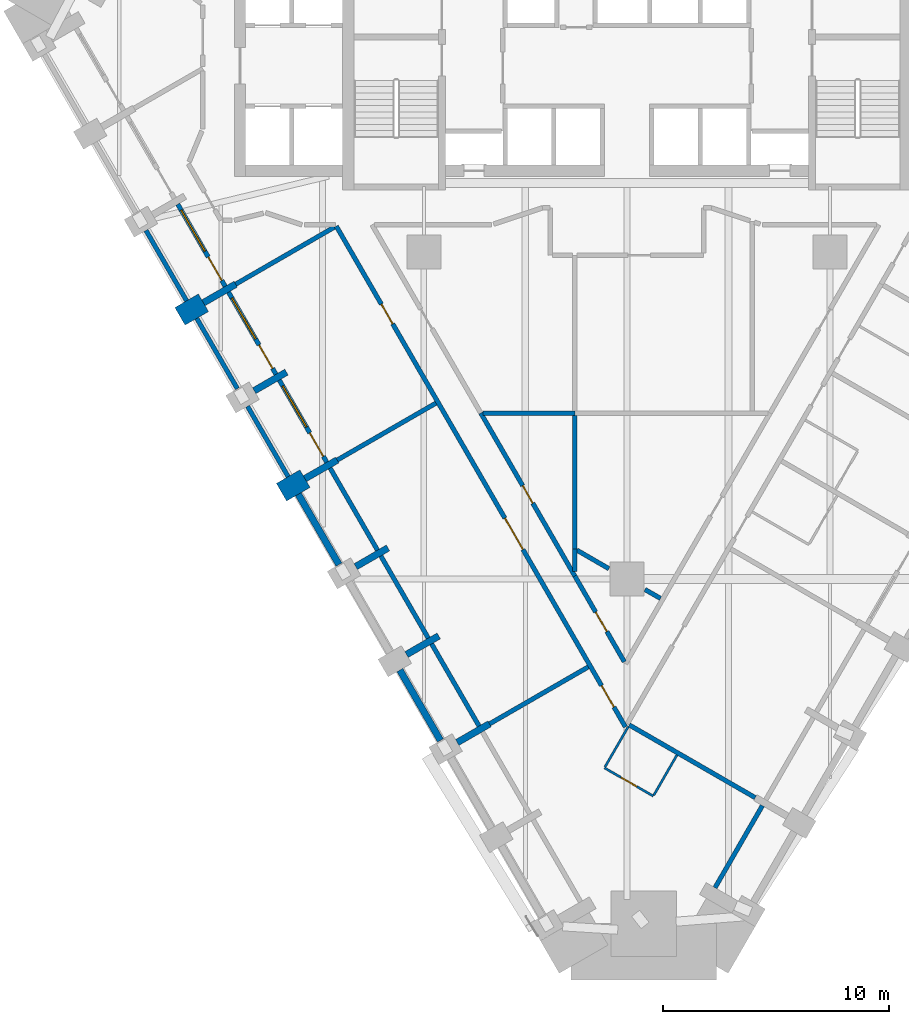
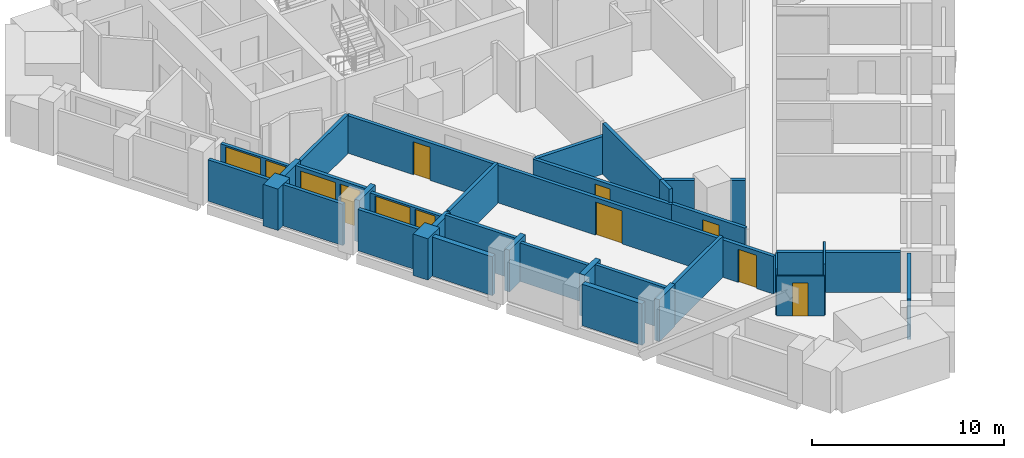
# One storey, part 3 of 11: 35 walls, 9 doors, 3 windows, 12 openings.
"""IFC4 building model written with IfcOpenShell, lengths in metres."""

import ifcopenshell
import ifcopenshell.guid

model = None  # the IFC model being written
_history = None  # IfcOwnerHistory: only IFC2X3 demands one
_inside = {}  # id of a spatial element -> (the spatial element, [elements in it])
_under = {}  # id of a project, library or spatial element -> (it, [spatial elements below it])
_declared = {}  # id of a project -> (the project, [libraries it declares])
_typed = {}  # id of a type object -> (the type object, [elements of that type])
_made_of = {}  # id of a material, layer set ... -> (it, [elements and type objects made of it])


def new_model(schema):
    """Start an empty IFC model of exactly this schema.

    Asked for "IFC4X3", IfcOpenShell would pick the latest addendum, in which some entities
    have other attributes; the version numbers below select the first issue.
    IFC2X3 requires an IfcOwnerHistory on every rooted entity: one is made here for all.
    """
    global model, _history
    if schema == "IFC4X3":
        model = ifcopenshell.file(schema_version=(4, 3, 0, 0))
    else:
        model = ifcopenshell.file(schema=schema)
    _inside.clear()
    _under.clear()
    _declared.clear()
    _typed.clear()
    _made_of.clear()
    _history = None
    if model.schema == "IFC2X3":
        org = make("IfcOrganization", Name="unknown")
        user = make(
            "IfcPersonAndOrganization",
            ThePerson=make("IfcPerson", FamilyName="unknown"),
            TheOrganization=org,
        )
        app = make(
            "IfcApplication",
            ApplicationDeveloper=org,
            Version="unknown",
            ApplicationFullName="unknown",
            ApplicationIdentifier="unknown",
        )
        _history = make(
            "IfcOwnerHistory",
            OwningUser=user,
            OwningApplication=app,
            ChangeAction="ADDED",
            CreationDate=0,
        )
    return model


def make(cls, **values):
    """One entity of the class cls with the attributes given. An attribute that is None is left unset."""
    return model.create_entity(
        cls, **{name: value for name, value in values.items() if value is not None}
    )


def rooted(cls, **values):
    """An entity with a GlobalId (a new one), such as an element, a storey or a relation."""
    return make(cls, GlobalId=ifcopenshell.guid.new(), OwnerHistory=_history, **values)


def si_unit(unit_type, name, prefix=None):
    """IfcSIUnit, for example si_unit("LENGTHUNIT", "METRE", prefix="MILLI")."""
    return make("IfcSIUnit", UnitType=unit_type, Prefix=prefix, Name=name)


def assignment(units):
    """IfcUnitAssignment: the units of a project."""
    return None if units is None else make("IfcUnitAssignment", Units=units)


def point(xyz):
    """IfcCartesianPoint."""
    return None if xyz is None else make("IfcCartesianPoint", Coordinates=xyz)


def direction(xyz):
    """IfcDirection."""
    return None if xyz is None else make("IfcDirection", DirectionRatios=xyz)


def frame(location, z_axis=None, x_axis=None):
    """IfcAxis2Placement3D, a coordinate frame: its origin and axes. An axis left out is left unset."""
    return make(
        "IfcAxis2Placement3D",
        Location=point(location),
        Axis=direction(z_axis),
        RefDirection=direction(x_axis),
    )


def frame_2d(location, x_axis=None):
    """IfcAxis2Placement2D, a coordinate frame in the plane: its origin and x axis."""
    return make(
        "IfcAxis2Placement2D", Location=point(location), RefDirection=direction(x_axis)
    )


def origin():
    """The frame at (0, 0, 0) with its axes left unset."""
    return frame((0.0, 0.0, 0.0))


def place(relative_to, where):
    """IfcLocalPlacement: puts the frame where relative to a parent placement (None: the world)."""
    return make(
        "IfcLocalPlacement", PlacementRelTo=relative_to, RelativePlacement=where
    )


def context(
    kind, dimensions, precision=None, world=None, true_north=None, identifier=None
):
    """IfcGeometricRepresentationContext, for example the 3D "Model" context."""
    return make(
        "IfcGeometricRepresentationContext",
        ContextIdentifier=identifier,
        ContextType=kind,
        CoordinateSpaceDimension=dimensions,
        Precision=precision,
        WorldCoordinateSystem=world,
        TrueNorth=true_north,
    )


def subcontext(parent, identifier, kind, view, scale=None):
    """IfcGeometricRepresentationSubContext, for example "Body" below "Model"."""
    return make(
        "IfcGeometricRepresentationSubContext",
        ContextIdentifier=identifier,
        ContextType=kind,
        ParentContext=parent,
        TargetScale=scale,
        TargetView=view,
    )


def project(units=None, contexts=None):
    """IfcProject with its units and contexts."""
    return rooted(
        "IfcProject",
        Name="project",
        RepresentationContexts=contexts,
        UnitsInContext=assignment(units),
    )


def spatial(cls, under=None, at=None, **own):
    """A site, building, storey or space (cls), placed at a placement, below another one or the project."""
    s = rooted(cls, ObjectPlacement=at, **own)
    if under is not None:
        _under.setdefault(under.id(), (under, []))[1].append(s)
    return s


def profile(cls, at=None, kind="AREA", **sizes):
    """A parametric profile (cls). Its sizes go by their IFC names, for example OverallWidth=200.0."""
    return make(cls, ProfileType=kind, Position=at, **sizes)


def rectangle(**sizes):
    """IfcRectangleProfileDef."""
    return profile("IfcRectangleProfileDef", **sizes)


def extrude(swept, where, along, depth):
    """IfcExtrudedAreaSolid: the profile swept, set in the frame where, extruded along a direction by depth."""
    return make(
        "IfcExtrudedAreaSolid",
        SweptArea=swept,
        Position=where,
        ExtrudedDirection=direction(along),
        Depth=depth,
    )


def shape(context_of_items, identifier, shape_type, items):
    """IfcShapeRepresentation: the items that make up one representation, for example the "Body"."""
    return make(
        "IfcShapeRepresentation",
        ContextOfItems=context_of_items,
        RepresentationIdentifier=identifier,
        RepresentationType=shape_type,
        Items=items,
    )


def material(Name=None, Category=None):
    """IfcMaterial."""
    return make("IfcMaterial", Name=Name, Category=Category)


def layer(
    of_material, thickness, ventilated=None, Name=None, Category=None, Priority=None
):
    """IfcMaterialLayer: one layer of a wall or slab, of a material (None: an air gap)."""
    return make(
        "IfcMaterialLayer",
        Material=of_material,
        LayerThickness=thickness,
        IsVentilated=ventilated,
        Name=Name,
        Category=Category,
        Priority=Priority,
    )


def layer_set(layers, Name=None):
    """IfcMaterialLayerSet."""
    return make("IfcMaterialLayerSet", MaterialLayers=layers, LayerSetName=Name)


def made_of(thing, what):
    """Note that an element or type object is made of a material, layer set ...; save() writes the relation."""
    if what is not None:
        _made_of.setdefault(what.id(), (what, []))[1].append(thing)
    return thing


def type_object(cls, material=None, **own):
    """A type object (cls), such as IfcWallType, which elements share."""
    return made_of(rooted(cls, **own), material)


def element(
    cls,
    number,
    at=None,
    inside=None,
    cuts=None,
    type_object=None,
    material=None,
    context=None,
    identifier="Body",
    shape_type=None,
    held_by="IfcProductDefinitionShape",
    body=None,
    shapes=None,
    **own,
):
    """One element of the class cls, such as IfcWall. Its Tag is "e" and its number.

    at: its placement. inside: the storey or other place that contains it. cuts: it is an
    opening in that element (IfcRelVoidsElement). A single representation is given by context,
    identifier, shape_type and body (its items); several are given by shapes. held_by: the class
    of the entity that holds the representations. save() writes the other relations.
    """
    e = rooted(cls, Tag="e%d" % number, ObjectPlacement=at, **own)
    if body is not None:
        shapes = [shape(context, identifier, shape_type, body)]
    if shapes is not None:
        e.Representation = make(held_by, Representations=shapes)
    if inside is not None:
        _inside.setdefault(inside.id(), (inside, []))[1].append(e)
    if cuts is not None:
        rooted(
            "IfcRelVoidsElement", RelatingBuildingElement=cuts, RelatedOpeningElement=e
        )
    if type_object is not None:
        _typed.setdefault(type_object.id(), (type_object, []))[1].append(e)
    return made_of(e, material)


def fill(opening, filler):
    """IfcRelFillsElement: the door or window that sits in an opening."""
    return rooted(
        "IfcRelFillsElement",
        RelatingOpeningElement=opening,
        RelatedBuildingElement=filler,
    )


def aggregate(whole, parts):
    """IfcRelAggregates: a whole, such as a stair, and the parts it consists of."""
    return rooted("IfcRelAggregates", RelatingObject=whole, RelatedObjects=parts)


def save(model, path):
    """Write the relations noted so far, then the file.

    IfcRelAggregates (storeys below a building ...), IfcRelContainedInSpatialStructure (elements
    in a storey), IfcRelDefinesByType, IfcRelAssociatesMaterial and IfcRelDeclares: one each for
    every whole, place, type object, material and project.
    """
    for whole, parts in _under.values():
        aggregate(whole, parts)
    for where, things in _inside.values():
        rooted(
            "IfcRelContainedInSpatialStructure",
            RelatedElements=things,
            RelatingStructure=where,
        )
    for kind, things in _typed.values():
        rooted("IfcRelDefinesByType", RelatedObjects=things, RelatingType=kind)
    for what, things in _made_of.values():
        rooted("IfcRelAssociatesMaterial", RelatedObjects=things, RelatingMaterial=what)
    for by, libraries in _declared.values():
        rooted("IfcRelDeclares", RelatingContext=by, RelatedDefinitions=libraries)
    model.write(path)


model = new_model("IFC4")

# Units and contexts
model_context = context("Model", 3, precision=1e-05, world=origin(), true_north=direction((0.0, 1.0)))
body_context = subcontext(model_context, "Body", "Model", "MODEL_VIEW")
ifc_project = project(units=[si_unit("LENGTHUNIT", "METRE"), si_unit("AREAUNIT", "SQUARE_METRE"), si_unit("VOLUMEUNIT", "CUBIC_METRE"), si_unit("PLANEANGLEUNIT", "RADIAN"), si_unit("MASSUNIT", "GRAM", prefix="KILO")], contexts=[model_context])

# Site, building, storey
site_placement = place(None, origin())
site = spatial("IfcSite", under=ifc_project, at=site_placement, CompositionType="ELEMENT")
building_placement = place(site_placement, origin())
building = spatial("IfcBuilding", under=site, at=building_placement, Name="Calabash Gate Tower", CompositionType="ELEMENT")
storey_placement = place(building_placement, frame((0.0, 0.0, 119.0)))
storey = spatial("IfcBuildingStorey", under=building, at=storey_placement, Name="L27", CompositionType="ELEMENT", Elevation=119.0)

# Walls
ifc_material_1 = material(Name="Terracotta brick masonry, exposed face", Category="masonry")
ifc_layer_1 = layer(ifc_material_1, 1.199951171875)
ifc_layer_set_1 = layer_set([ifc_layer_1], Name="Brick end wall 1200")
wall_type_1 = type_object("IfcWallType", Name="Brick end wall 1200", PredefinedType="SOLIDWALL", material=ifc_layer_set_1)
for number, where, z_axis, x_axis, name in (
    (1, (-19.80859375, -0.355224609375, 0.0), (0.0, 0.0, 1.0), (0.866043267704, 0.499969057507, 0.0), "Brick pier S07 SW0.3"),
    (2, (-15.30859375, -8.1494140625, 0.0), (0.0, 0.0, 1.0), (0.866043267704, 0.499969057507, 0.0), "Brick pier S07 SW0.5"),
):
    element("IfcWall", number, at=place(storey_placement, frame(where, z_axis=z_axis, x_axis=x_axis)), inside=storey, type_object=wall_type_1, Name=name, PredefinedType="SOLIDWALL", context=body_context, shape_type="SweptSolid", body=[
        extrude(rectangle(XDim=1.19970703125, YDim=0.89990234375, at=frame_2d((0.599853515625, 0.0))), origin(), (0.0, 0.0, 1.0), 2.6298828125),
    ])
ifc_material_2 = material(Name="Terracotta brick masonry, exposed face", Category="masonry")
ifc_layer_2 = layer(ifc_material_2, 0.300048828125)
ifc_layer_set_2 = layer_set([ifc_layer_2], Name="Brick infill panel wall 300")
wall_type_2 = type_object("IfcWallType", Name="Brick infill panel wall 300", PredefinedType="SOLIDWALL", material=ifc_layer_set_2)
wall_1_placement = place(storey_placement, frame((-14.56396484375, -8.2392578125, 0.0), z_axis=(0.0, 0.0, 1.0), x_axis=(0.500012057535, -0.866018442252, 0.0)))
element("IfcWall", 3, at=wall_1_placement, inside=storey, type_object=wall_type_2, Name="Brick panel S07 SW0.6", PredefinedType="SOLIDWALL", context=body_context, shape_type="SweptSolid", body=[
    extrude(rectangle(XDim=3.60009765625, YDim=0.300048828125, at=frame_2d((1.800048828125, 0.0))), origin(), (0.0, 0.0, 1.0), 2.4736328125),
])
wall_2_placement = place(storey_placement, frame((-10.06396484375, -16.033447265625, 0.0), z_axis=(0.0, 0.0, 1.0), x_axis=(0.500012057535, -0.866018442252, 0.0)))
element("IfcWall", 4, at=wall_2_placement, inside=storey, type_object=wall_type_2, Name="Brick panel S07 SW0.8", PredefinedType="SOLIDWALL", context=body_context, shape_type="SweptSolid", body=[
    extrude(rectangle(XDim=3.60009765625, YDim=0.300048828125, at=frame_2d((1.800048828125, 0.0))), origin(), (0.0, 0.0, 1.0), 2.6298828125),
])
ifc_material_3 = material(Name="Terracotta brick masonry, exposed face", Category="masonry")
ifc_layer_3 = layer(ifc_material_3, 0.300048828125)
ifc_layer_set_3 = layer_set([ifc_layer_3], Name="Brick loggia cheek wall 300")
wall_type_3 = type_object("IfcWallType", Name="Brick loggia cheek wall 300", PredefinedType="SOLIDWALL", material=ifc_layer_set_3)
wall_3_placement = place(storey_placement, frame((-18.76953125, 0.24462890625, 0.0), z_axis=(0.0, 0.0, 1.0), x_axis=(0.865976140824, 0.500085316245, 0.0)))
element("IfcWall", 5, at=wall_3_placement, inside=storey, type_object=wall_type_3, Name="Loggia cheek S07 SW0.3", PredefinedType="SOLIDWALL", context=body_context, shape_type="SweptSolid", body=[
    extrude(rectangle(XDim=1.650146484375, YDim=0.300048828125, at=frame_2d((0.8251953125, 0.0))), origin(), (0.0, 0.0, 1.0), 2.64990234375),
])
wall_4_placement = place(storey_placement, frame((-16.519287109375, -3.65234375, 0.0), z_axis=(0.0, 0.0, 1.0), x_axis=(0.866003217194, 0.500038426333, 0.0)))
element("IfcWall", 6, at=wall_4_placement, inside=storey, type_object=wall_type_3, Name="Loggia cheek S07 SW0.4", PredefinedType="SOLIDWALL", context=body_context, shape_type="SweptSolid", body=[
    extrude(rectangle(XDim=1.649658203125, YDim=0.300048828125, at=frame_2d((0.82470703125, 0.0))), origin(), (0.0, 0.0, 1.0), 2.64990234375),
])
wall_5_placement = place(storey_placement, frame((-12.840576171875, -6.724609375, 0.0), z_axis=(0.0, 0.0, 1.0), x_axis=(-0.866040211805, -0.499974350878, 0.0)))
element("IfcWall", 7, at=wall_5_placement, inside=storey, type_object=wall_type_3, Name="Loggia cheek S07 SW0.5", PredefinedType="SOLIDWALL", context=body_context, shape_type="SweptSolid", body=[
    extrude(rectangle(XDim=1.64990234375, YDim=0.300048828125, at=frame_2d((0.824951171875, 0.0))), origin(), (0.0, 0.0, 1.0), 2.4736328125),
])
for number, where, z_axis, x_axis, name in (
    (8, (-12.01953125, -11.446533203125, 0.0), (0.0, 0.0, 1.0), (0.866040211805, 0.499974350878, 0.0), "Loggia cheek S07 SW0.6"),
    (9, (-8.340576171875, -14.518798828125, 0.0), (0.0, 0.0, 1.0), (-0.866040211805, -0.499974350878, 0.0), "Loggia cheek S07 SW0.7"),
):
    element("IfcWall", number, at=place(storey_placement, frame(where, z_axis=z_axis, x_axis=x_axis)), inside=storey, type_object=wall_type_3, Name=name, PredefinedType="SOLIDWALL", context=body_context, shape_type="SweptSolid", body=[
        extrude(rectangle(XDim=1.64990234375, YDim=0.300048828125, at=frame_2d((0.824951171875, 0.0))), origin(), (0.0, 0.0, 1.0), 2.64990234375),
    ])
wall_6_placement = place(storey_placement, frame((-7.51953125, -19.240966796875, 0.0), z_axis=(0.0, 0.0, 1.0), x_axis=(0.865976140824, 0.500085316245, 0.0)))
element("IfcWall", 10, at=wall_6_placement, inside=storey, type_object=wall_type_3, Name="Loggia cheek S07 SW0.8", PredefinedType="SOLIDWALL", context=body_context, shape_type="SweptSolid", body=[
    extrude(rectangle(XDim=1.650146484375, YDim=0.300048828125, at=frame_2d((0.8251953125, 0.0))), origin(), (0.0, 0.0, 1.0), 2.64990234375),
])
ifc_material_4 = material(Name="Gypsum board on steel studs, mineral wool", Category="steel")
ifc_layer_4 = layer(ifc_material_4, 0.10009765625)
ifc_layer_set_4 = layer_set([ifc_layer_4], Name="Partition 100 gypsum board")
wall_type_4 = type_object("IfcWallType", Name="Partition 100 gypsum board", PredefinedType="PARTITIONING", material=ifc_layer_set_4)
wall_7_placement = place(storey_placement, frame((1.192626953125, -21.573486328125, 0.0), z_axis=(0.0, 0.0, 1.0), x_axis=(0.499354689006, 0.866397653833, 0.0)))
element("IfcWall", 11, at=wall_7_placement, inside=storey, type_object=wall_type_4, Name="Partition", PredefinedType="PARTITIONING", context=body_context, shape_type="SweptSolid", body=[
    extrude(rectangle(XDim=2.050048828125, YDim=0.10009765625, at=frame_2d((1.02490234375, 0.0))), origin(), (0.0, 0.0, 1.0), 3.22998046875),
])

# Wall, opening, door
wall_8_placement = place(storey_placement, frame((-0.997314453125, -20.36669921875, 0.0), z_axis=(0.0, 0.0, 1.0), x_axis=(0.866022959057, -0.500004234368, 0.0)))
wall_8 = element("IfcWall", 12, at=wall_8_placement, inside=storey, type_object=wall_type_4, Name="Partition", PredefinedType="PARTITIONING", context=body_context, shape_type="SweptSolid", body=[
    extrude(rectangle(XDim=2.5, YDim=0.10009765625, at=frame_2d((1.25, 0.0))), origin(), (0.0, 0.0, 1.0), 2.552001953125),
])
opening_1_placement = place(wall_8_placement, frame((0.85009765625, 0.0, 0.0)))
opening_1 = element("IfcOpeningElement", 13, at=opening_1_placement, cuts=wall_8, Name="Opening 25-27-017", PredefinedType="OPENING", context=body_context, shape_type="SweptSolid", body=[
    extrude(rectangle(XDim=0.800048828125, YDim=2.10009765625, at=frame_2d((0.39990234375, 1.050048828125))), frame((0.0, 0.06005859375, 0.0), z_axis=(0.0, -1.0, 0.0), x_axis=(1.0, 0.0, 0.0)), (0.0, 0.0, 1.0), 0.1201171875),
])
ifc_material_5 = material(Name="Painted timber door", Category="wood")
door_type_1 = type_object("IfcDoorType", Name="GD5 En-suite door 800x2100", OperationType="NOTDEFINED", PredefinedType="DOOR", material=ifc_material_5)
door_1_placement = place(opening_1_placement, origin())
door_1 = element("IfcDoor", 14, at=door_1_placement, inside=storey, type_object=door_type_1, Name="En-suite door", OperationType="SINGLE_SWING_RIGHT", OverallHeight=2.10009765625, OverallWidth=0.800048828125, PredefinedType="DOOR", context=body_context, shape_type="SweptSolid", body=[
    extrude(rectangle(XDim=0.800048828125, YDim=2.10009765625, at=frame_2d((0.39990234375, 1.050048828125))), frame((0.0, 0.02490234375, 0.0), z_axis=(0.0, -1.0, 0.0), x_axis=(1.0, 0.0, 0.0)), (0.0, 0.0, 1.0), 0.050048828125),
])
fill(opening_1, door_1)

# Wall
wall_9_placement = place(storey_placement, frame((-0.972412109375, -20.323486328125, 0.0), z_axis=(0.0, 0.0, 1.0), x_axis=(0.500646589026, 0.865651773461, 0.0)))
element("IfcWall", 15, at=wall_9_placement, inside=storey, type_object=wall_type_4, Name="Partition", PredefinedType="PARTITIONING", context=body_context, shape_type="SweptSolid", body=[
    extrude(rectangle(XDim=2.050048828125, YDim=0.10009765625, at=frame_2d((1.02490234375, 0.0))), origin(), (0.0, 0.0, 1.0), 2.552001953125),
])

# Wall, openings, doors
ifc_material_6 = material(Name="Gypsum board on steel studs, mineral wool", Category="steel")
ifc_layer_5 = layer(ifc_material_6, 0.199951171875)
ifc_layer_set_5 = layer_set([ifc_layer_5], Name="Partition 200 gypsum board EI 60")
wall_type_5 = type_object("IfcWallType", Name="Partition 200 gypsum board EI 60", PredefinedType="PARTITIONING", material=ifc_layer_set_5)
wall_10_placement = place(storey_placement, frame((-12.882080078125, 3.643798828125, 0.0), z_axis=(0.0, 0.0, 1.0), x_axis=(0.500000325599, -0.866025215799, 0.0)))
wall_10 = element("IfcWall", 16, at=wall_10_placement, inside=storey, type_object=wall_type_5, Name="Partition", PredefinedType="PARTITIONING", context=body_context, shape_type="SweptSolid", body=[
    extrude(rectangle(XDim=25.63037109375, YDim=0.199951171875, at=frame_2d((12.815185546875, 0.0))), origin(), (0.0, 0.0, 1.0), 2.384033203125),
])
opening_2_placement = place(wall_10_placement, frame((4.0, 0.0, 0.0)))
opening_2 = element("IfcOpeningElement", 17, at=opening_2_placement, cuts=wall_10, Name="Opening 25-27-001", PredefinedType="OPENING", context=body_context, shape_type="SweptSolid", body=[
    extrude(rectangle(XDim=1.0, YDim=2.10009765625, at=frame_2d((0.5, 1.050048828125))), frame((0.0, 0.10986328125, 0.0), z_axis=(0.0, -1.0, 0.0), x_axis=(1.0, 0.0, 0.0)), (0.0, 0.0, 1.0), 0.219970703125),
])
opening_3_placement = place(wall_10_placement, frame((14.9501953125, 0.0, 0.0)))
opening_3 = element("IfcOpeningElement", 18, at=opening_3_placement, cuts=wall_10, Name="Opening 25-27-002", PredefinedType="OPENING", context=body_context, shape_type="SweptSolid", body=[
    extrude(rectangle(XDim=1.60009765625, YDim=2.10009765625, at=frame_2d((0.800048828125, 1.050048828125))), frame((0.0, 0.10986328125, 0.0), z_axis=(0.0, -1.0, 0.0), x_axis=(1.0, 0.0, 0.0)), (0.0, 0.0, 1.0), 0.219970703125),
])
opening_4_placement = place(wall_10_placement, frame((23.515380859375, 0.0, 0.0)))
opening_4 = element("IfcOpeningElement", 19, at=opening_4_placement, cuts=wall_10, Name="Opening 25-27-026", PredefinedType="OPENING", context=body_context, shape_type="SweptSolid", body=[
    extrude(rectangle(XDim=1.10009765625, YDim=2.10009765625, at=frame_2d((0.550048828125, 1.050048828125))), frame((0.0, 0.10986328125, 0.0), z_axis=(0.0, -1.0, 0.0), x_axis=(1.0, 0.0, 0.0)), (0.0, 0.0, 1.0), 0.219970703125),
])
ifc_material_7 = material(Name="Steel fire door set with fire-resisting glazing", Category="steel")
door_type_2 = type_object("IfcDoorType", Name="GD3 Suite entrance door 1100x2100", OperationType="NOTDEFINED", PredefinedType="DOOR", material=ifc_material_7)
door_2_placement = place(opening_4_placement, origin())
door_2 = element("IfcDoor", 20, at=door_2_placement, inside=storey, type_object=door_type_2, Name="Suite entrance door", OperationType="SINGLE_SWING_LEFT", OverallHeight=2.10009765625, OverallWidth=1.10009765625, PredefinedType="DOOR", context=body_context, shape_type="SweptSolid", body=[
    extrude(rectangle(XDim=1.10009765625, YDim=2.10009765625, at=frame_2d((0.550048828125, 1.050048828125))), frame((0.0, 0.02490234375, 0.0), z_axis=(0.0, -1.0, 0.0), x_axis=(1.0, 0.0, 0.0)), (0.0, 0.0, 1.0), 0.050048828125),
])
fill(opening_4, door_2)
ifc_material_8 = material(Name="Steel fire door set with fire-resisting glazing", Category="steel")
door_type_3 = type_object("IfcDoorType", Name="LD1 Lounge double door 1600x2100", OperationType="NOTDEFINED", PredefinedType="DOOR", material=ifc_material_8)
door_3_placement = place(opening_3_placement, origin())
door_3 = element("IfcDoor", 21, at=door_3_placement, inside=storey, type_object=door_type_3, Name="Lounge double door", OperationType="DOUBLE_DOOR_SINGLE_SWING", OverallHeight=2.10009765625, OverallWidth=1.60009765625, PredefinedType="DOOR", context=body_context, shape_type="SweptSolid", body=[
    extrude(rectangle(XDim=1.60009765625, YDim=2.10009765625, at=frame_2d((0.800048828125, 1.050048828125))), frame((0.0, 0.02490234375, 0.0), z_axis=(0.0, -1.0, 0.0), x_axis=(1.0, 0.0, 0.0)), (0.0, 0.0, 1.0), 0.050048828125),
])
fill(opening_3, door_3)
ifc_material_9 = material(Name="Steel fire door set with fire-resisting glazing", Category="steel")
door_type_4 = type_object("IfcDoorType", Name="LD2 Meeting room door 1000x2100", OperationType="NOTDEFINED", PredefinedType="DOOR", material=ifc_material_9)
door_4_placement = place(opening_2_placement, origin())
door_4 = element("IfcDoor", 22, at=door_4_placement, inside=storey, type_object=door_type_4, Name="Meeting room door", OperationType="SINGLE_SWING_RIGHT", OverallHeight=2.10009765625, OverallWidth=1.0, PredefinedType="DOOR", context=body_context, shape_type="SweptSolid", body=[
    extrude(rectangle(XDim=1.0, YDim=2.10009765625, at=frame_2d((0.5, 1.050048828125))), frame((0.0, 0.02490234375, 0.0), z_axis=(0.0, -1.0, 0.0), x_axis=(1.0, 0.0, 0.0)), (0.0, 0.0, 1.0), 0.050048828125),
])
fill(opening_2, door_4)

# Walls
wall_11_placement = place(storey_placement, frame((0.101806640625, -18.462890625, 0.0), z_axis=(0.0, 0.0, 1.0), x_axis=(0.866035557451, -0.499982412921, 0.0)))
element("IfcWall", 23, at=wall_11_placement, inside=storey, type_object=wall_type_5, Name="Partition", PredefinedType="PARTITIONING", context=body_context, shape_type="SweptSolid", body=[
    extrude(rectangle(XDim=6.449462890625, YDim=0.199951171875, at=frame_2d((3.224609375, 0.0))), origin(), (0.0, 0.0, 1.0), 2.552001953125),
])
wall_12_placement = place(storey_placement, frame((-6.090087890625, -18.416259765625, 0.0), z_axis=(0.0, 0.0, 1.0), x_axis=(0.866164656326, 0.49975872992, 0.0)))
element("IfcWall", 24, at=wall_12_placement, inside=storey, type_object=wall_type_5, Name="Partition", PredefinedType="PARTITIONING", context=body_context, shape_type="SweptSolid", body=[
    extrude(rectangle(XDim=5.04931640625, YDim=0.199951171875, at=frame_2d((2.524658203125, 0.0))), origin(), (0.0, 0.0, 1.0), 2.6279296875),
])
wall_13_placement = place(storey_placement, frame((0.800048828125, -12.461669921875, 0.0), z_axis=(0.0, 0.0, 1.0), x_axis=(0.867012419422, -0.498286528584, 0.0)))
element("IfcWall", 25, at=wall_13_placement, inside=storey, type_object=wall_type_5, Name="Partition", PredefinedType="PARTITIONING", context=body_context, shape_type="SweptSolid", body=[
    extrude(rectangle(XDim=0.795166015625, YDim=0.199951171875, at=frame_2d((0.3974609375, 0.0))), origin(), (0.0, 0.0, 1.0), 3.22998046875),
])

# Wall, opening, door
wall_14_placement = place(storey_placement, frame((-2.311279296875, -11.861083984375, 0.0), z_axis=(0.0, 0.0, 1.0), x_axis=(0.499977492351, -0.866038398192, 0.0)))
wall_14 = element("IfcWall", 26, at=wall_14_placement, inside=storey, type_object=wall_type_5, Name="Partition", PredefinedType="PARTITIONING", context=body_context, shape_type="SweptSolid", body=[
    extrude(rectangle(XDim=4.391845703125, YDim=0.199951171875, at=frame_2d((2.19580078125, 0.0))), origin(), (0.0, 0.0, 1.0), 2.4501953125),
])
opening_5_placement = place(wall_14_placement, frame((1.84423828125, 0.0, 0.0)))
opening_5 = element("IfcOpeningElement", 27, at=opening_5_placement, cuts=wall_14, Name="Opening 25-27-015", PredefinedType="OPENING", context=body_context, shape_type="SweptSolid", body=[
    extrude(rectangle(XDim=1.0, YDim=2.10009765625, at=frame_2d((0.5, 1.050048828125))), frame((0.0, 0.10986328125, 0.0), z_axis=(0.0, -1.0, 0.0), x_axis=(1.0, 0.0, 0.0)), (0.0, 0.0, 1.0), 0.219970703125),
])
door_5_placement = place(opening_5_placement, origin())
door_5 = element("IfcDoor", 28, at=door_5_placement, inside=storey, type_object=door_type_4, Name="Meeting room door", OperationType="SINGLE_SWING_RIGHT", OverallHeight=2.10009765625, OverallWidth=1.0, PredefinedType="DOOR", context=body_context, shape_type="SweptSolid", body=[
    extrude(rectangle(XDim=1.0, YDim=2.10009765625, at=frame_2d((0.5, 1.050048828125))), frame((0.0, 0.02490234375, 0.0), z_axis=(0.0, -1.0, 0.0), x_axis=(1.0, 0.0, 0.0)), (0.0, 0.0, 1.0), 0.050048828125),
])
fill(opening_5, door_5)

# Walls
wall_15_placement = place(storey_placement, frame((-2.224609375, -10.713623046875, 0.0), z_axis=(0.0, 0.0, 1.0), x_axis=(0.865565051919, -0.500796506474, 0.0)))
element("IfcWall", 29, at=wall_15_placement, inside=storey, type_object=wall_type_5, Name="Partition", PredefinedType="PARTITIONING", context=body_context, shape_type="SweptSolid", body=[
    extrude(rectangle(XDim=1.645751953125, YDim=0.199951171875, at=frame_2d((0.82275390625, 0.0))), origin(), (0.0, 0.0, 1.0), 3.22998046875),
])
wall_16_placement = place(storey_placement, frame((-2.31103515625, -11.66162109375, 0.0), z_axis=(0.0, 0.0, 1.0), x_axis=(0.001472029808, 0.999998916564, 0.0)))
element("IfcWall", 30, at=wall_16_placement, inside=storey, type_object=wall_type_5, Name="Partition", PredefinedType="PARTITIONING", context=body_context, shape_type="SweptSolid", body=[
    extrude(rectangle(XDim=0.9951171875, YDim=0.199951171875, at=frame_2d((0.49755859375, 0.0))), origin(), (0.0, 0.0, 1.0), 3.22998046875),
])
wall_17_placement = place(storey_placement, frame((-2.3095703125, -10.66650390625, 0.0), z_axis=(0.0, 0.0, 1.0), x_axis=(0.0, 1.0, 0.0)))
element("IfcWall", 31, at=wall_17_placement, inside=storey, type_object=wall_type_5, Name="Partition", PredefinedType="PARTITIONING", context=body_context, shape_type="SweptSolid", body=[
    extrude(rectangle(XDim=5.927001953125, YDim=0.199951171875, at=frame_2d((2.96337890625, 0.0))), origin(), (0.0, 0.0, 1.0), 3.22998046875),
])

# Wall, opening, door
wall_18_placement = place(storey_placement, frame((-6.4775390625, -4.641357421875, 0.0), z_axis=(0.0, 0.0, 1.0), x_axis=(0.499806127846, -0.866137306994, 0.0)))
wall_18 = element("IfcWall", 32, at=wall_18_placement, inside=storey, type_object=wall_type_5, Name="Partition", PredefinedType="PARTITIONING", context=body_context, shape_type="SweptSolid", body=[
    extrude(rectangle(XDim=8.335205078125, YDim=0.199951171875, at=frame_2d((4.16748046875, 0.0))), origin(), (0.0, 0.0, 1.0), 2.384033203125),
])
opening_6_placement = place(wall_18_placement, frame((3.716064453125, 0.0, 0.0)))
opening_6 = element("IfcOpeningElement", 33, at=opening_6_placement, cuts=wall_18, Name="Opening 25-27-014", PredefinedType="OPENING", context=body_context, shape_type="SweptSolid", body=[
    extrude(rectangle(XDim=0.89990234375, YDim=2.10009765625, at=frame_2d((0.449951171875, 1.050048828125))), frame((0.0, 0.10986328125, 0.0), z_axis=(0.0, -1.0, 0.0), x_axis=(1.0, 0.0, 0.0)), (0.0, 0.0, 1.0), 0.219970703125),
])
ifc_material_10 = material(Name="Steel fire door set with fire-resisting glazing", Category="steel")
door_type_5 = type_object("IfcDoorType", Name="SD3 Store door 900x2100", OperationType="NOTDEFINED", PredefinedType="DOOR", material=ifc_material_10)
door_6_placement = place(opening_6_placement, origin())
door_6 = element("IfcDoor", 34, at=door_6_placement, inside=storey, type_object=door_type_5, Name="Store door", OperationType="SINGLE_SWING_LEFT", OverallHeight=2.10009765625, OverallWidth=0.89990234375, PredefinedType="DOOR", context=body_context, shape_type="SweptSolid", body=[
    extrude(rectangle(XDim=0.89990234375, YDim=2.10009765625, at=frame_2d((0.449951171875, 1.050048828125))), frame((0.0, 0.02490234375, 0.0), z_axis=(0.0, -1.0, 0.0), x_axis=(1.0, 0.0, 0.0)), (0.0, 0.0, 1.0), 0.050048828125),
])
fill(opening_6, door_6)

# Walls
wall_19_placement = place(storey_placement, frame((-6.377685546875, -4.641357421875, 0.0), z_axis=(0.0, 0.0, 1.0), x_axis=(1.0, 0.0, 0.0)))
element("IfcWall", 35, at=wall_19_placement, inside=storey, type_object=wall_type_5, Name="Partition", PredefinedType="PARTITIONING", context=body_context, shape_type="SweptSolid", body=[
    extrude(rectangle(XDim=4.066162109375, YDim=0.199951171875, at=frame_2d((2.033203125, 0.0))), origin(), (0.0, 0.0, 1.0), 2.384033203125),
])
wall_20_placement = place(storey_placement, frame((-12.84033203125, -6.724609375, 0.0), z_axis=(0.0, 0.0, 1.0), x_axis=(0.866209732401, 0.499680597475, 0.0)))
element("IfcWall", 36, at=wall_20_placement, inside=storey, type_object=wall_type_5, Name="Partition", PredefinedType="PARTITIONING", context=body_context, shape_type="SweptSolid", body=[
    extrude(rectangle(XDim=5.049560546875, YDim=0.199951171875, at=frame_2d((2.52490234375, 0.0))), origin(), (0.0, 0.0, 1.0), 2.552001953125),
])
wall_21_placement = place(storey_placement, frame((-17.3408203125, 1.0703125, 0.0), z_axis=(0.0, 0.0, 1.0), x_axis=(0.865894858421, 0.500226043064, 0.0)))
element("IfcWall", 37, at=wall_21_placement, inside=storey, type_object=wall_type_5, Name="Partition", PredefinedType="PARTITIONING", context=body_context, shape_type="SweptSolid", body=[
    extrude(rectangle(XDim=5.049560546875, YDim=0.199951171875, at=frame_2d((2.52490234375, 0.0))), origin(), (0.0, 0.0, 1.0), 2.4736328125),
])
ifc_material_11 = material(Name="Terracotta brick masonry, perforated", Category="masonry")
ifc_layer_6 = layer(ifc_material_11, 0.199951171875)
ifc_layer_set_6 = layer_set([ifc_layer_6], Name="Terracotta jaali screen A")
wall_type_6 = type_object("IfcWallType", Name="Terracotta jaali screen A", PredefinedType="SOLIDWALL", material=ifc_layer_set_6)
for number, where, z_axis, x_axis, name in (
    (38, (-21.31396484375, 3.4521484375, 0.0), (0.0, 0.0, 1.0), (0.500012057535, -0.866018442252, 0.0), "SCREEN A S07 SW0.3"),
    (39, (-19.06396484375, -0.445068359375, 0.0), (0.0, 0.0, 1.0), (0.500012057535, -0.866018442252, 0.0), "SCREEN A S07 SW0.4"),
    (40, (-16.81396484375, -4.342041015625, 0.0), (0.0, 0.0, 1.0), (0.500012057535, -0.866018442252, 0.0), "SCREEN A S07 SW0.5"),
):
    element("IfcWall", number, at=place(storey_placement, frame(where, z_axis=z_axis, x_axis=x_axis)), inside=storey, type_object=wall_type_6, Name=name, PredefinedType="SOLIDWALL", context=body_context, shape_type="SweptSolid", body=[
        extrude(rectangle(XDim=3.60009765625, YDim=0.199951171875, at=frame_2d((1.800048828125, 0.0))), origin(), (0.0, 0.0, 1.0), 2.6298828125),
    ])

# Wall, openings, door, window
ifc_material_12 = material(Name="Aluminium framed window wall with insulated spandrel", Category="aluminium")
ifc_layer_7 = layer(ifc_material_12, 0.199951171875)
ifc_layer_set_7 = layer_set([ifc_layer_7], Name="Window wall 200")
wall_type_7 = type_object("IfcWallType", Name="Window wall 200", PredefinedType="ELEMENTEDWALL", material=ifc_layer_set_7)
wall_22_placement = place(storey_placement, frame((-19.9052734375, 4.61181640625, 0.0), z_axis=(0.0, 0.0, 1.0), x_axis=(0.500027713859, -0.866009402589, 0.0)))
wall_22 = element("IfcWall", 41, at=wall_22_placement, inside=storey, type_object=wall_type_7, Name="Window wall S07 SW0.3", PredefinedType="ELEMENTEDWALL", context=body_context, shape_type="SweptSolid", body=[
    extrude(rectangle(XDim=4.199951171875, YDim=0.199951171875, at=frame_2d((2.10009765625, 0.0))), origin(), (0.0, 0.0, 1.0), 2.4501953125),
])
opening_7_placement = place(wall_22_placement, frame((0.300048828125, 0.0, 0.60009765625)))
opening_7 = element("IfcOpeningElement", 42, at=opening_7_placement, cuts=wall_22, Name="Opening HW1L-1750", PredefinedType="OPENING", context=body_context, shape_type="SweptSolid", body=[
    extrude(rectangle(XDim=2.10009765625, YDim=1.75, at=frame_2d((1.050048828125, 0.875))), frame((0.0, 0.10986328125, 0.0), z_axis=(0.0, -1.0, 0.0), x_axis=(1.0, 0.0, 0.0)), (0.0, 0.0, 1.0), 0.219970703125),
])
opening_8_placement = place(wall_22_placement, frame((2.699951171875, 0.0, 0.0)))
opening_8 = element("IfcOpeningElement", 43, at=opening_8_placement, cuts=wall_22, Name="Opening H7-026", PredefinedType="OPENING", context=body_context, shape_type="SweptSolid", body=[
    extrude(rectangle(XDim=1.199951171875, YDim=2.35009765625, at=frame_2d((0.60009765625, 1.175048828125))), frame((0.0, 0.10986328125, 0.0), z_axis=(0.0, -1.0, 0.0), x_axis=(1.0, 0.0, 0.0)), (0.0, 0.0, 1.0), 0.219970703125),
])
ifc_material_13 = material(Name="Anodised aluminium frame, bronze finish, impact-rated laminated clear glazing", Category="aluminium")
door_type_6 = type_object("IfcDoorType", Name="Loggia door DH1L-2350 1200x2350", OperationType="SLIDING_TO_LEFT", PredefinedType="DOOR", material=ifc_material_13)
door_7_placement = place(opening_8_placement, origin())
door_7 = element("IfcDoor", 44, at=door_7_placement, inside=storey, type_object=door_type_6, Name="Loggia door S07 SW0.3", OperationType="SINGLE_SWING_LEFT", OverallHeight=2.35009765625, OverallWidth=1.199951171875, PredefinedType="DOOR", context=body_context, shape_type="SweptSolid", body=[
    extrude(rectangle(XDim=1.199951171875, YDim=2.35009765625, at=frame_2d((0.60009765625, 1.175048828125))), frame((0.0, 0.02490234375, 0.0), z_axis=(0.0, -1.0, 0.0), x_axis=(1.0, 0.0, 0.0)), (0.0, 0.0, 1.0), 0.050048828125),
])
fill(opening_8, door_7)
ifc_material_14 = material(Name="Anodised aluminium frame, bronze finish, impact-rated laminated clear glazing", Category="aluminium")
window_type_1 = type_object("IfcWindowType", Name="Window HW1L 2100x1750", PartitioningType="DOUBLE_PANEL_VERTICAL", PredefinedType="WINDOW", material=ifc_material_14)
window_1_placement = place(opening_7_placement, origin())
window_1 = element("IfcWindow", 45, at=window_1_placement, inside=storey, type_object=window_type_1, Name="Window HW1 S07 SW0.3", OverallHeight=1.75, OverallWidth=2.10009765625, PartitioningType="SINGLE_PANEL", PredefinedType="WINDOW", context=body_context, shape_type="SweptSolid", body=[
    extrude(rectangle(XDim=2.10009765625, YDim=1.75, at=frame_2d((1.050048828125, 0.875))), frame((0.0, 0.030029296875, 0.0), z_axis=(0.0, -1.0, 0.0), x_axis=(1.0, 0.0, 0.0)), (0.0, 0.0, 1.0), 0.06005859375),
])
fill(opening_7, window_1)

wall_23_placement = place(storey_placement, frame((-17.6552734375, 0.71484375, 0.0), z_axis=(0.0, 0.0, 1.0), x_axis=(0.500002543286, -0.866023935413, 0.0)))
wall_23 = element("IfcWall", 46, at=wall_23_placement, inside=storey, type_object=wall_type_7, Name="Window wall S07 SW0.4", PredefinedType="ELEMENTEDWALL", context=body_context, shape_type="SweptSolid", body=[
    extrude(rectangle(XDim=4.2001953125, YDim=0.199951171875, at=frame_2d((2.10009765625, 0.0))), origin(), (0.0, 0.0, 1.0), 2.64990234375),
])
opening_9_placement = place(wall_23_placement, frame((0.300048828125, 0.0, 0.60009765625)))
opening_9 = element("IfcOpeningElement", 47, at=opening_9_placement, cuts=wall_23, Name="Opening HW1", PredefinedType="OPENING", context=body_context, shape_type="SweptSolid", body=[
    extrude(rectangle(XDim=2.10009765625, YDim=1.800048828125, at=frame_2d((1.050048828125, 0.89990234375))), frame((0.0, 0.10986328125, 0.0), z_axis=(0.0, -1.0, 0.0), x_axis=(1.0, 0.0, 0.0)), (0.0, 0.0, 1.0), 0.219970703125),
])
opening_10_placement = place(wall_23_placement, frame((2.699951171875, 0.0, 0.0)))
opening_10 = element("IfcOpeningElement", 48, at=opening_10_placement, cuts=wall_23, Name="Opening H7-027", PredefinedType="OPENING", context=body_context, shape_type="SweptSolid", body=[
    extrude(rectangle(XDim=1.199951171875, YDim=2.39990234375, at=frame_2d((0.60009765625, 1.199951171875))), frame((0.0, 0.10986328125, 0.0), z_axis=(0.0, -1.0, 0.0), x_axis=(1.0, 0.0, 0.0)), (0.0, 0.0, 1.0), 0.219970703125),
])
ifc_material_15 = material(Name="Anodised aluminium frame, bronze finish, impact-rated laminated clear glazing", Category="aluminium")
door_type_7 = type_object("IfcDoorType", Name="Loggia door DH1 1200x2400", OperationType="SLIDING_TO_LEFT", PredefinedType="DOOR", material=ifc_material_15)
door_8_placement = place(opening_10_placement, origin())
door_8 = element("IfcDoor", 49, at=door_8_placement, inside=storey, type_object=door_type_7, Name="Loggia door S07 SW0.4", OperationType="SINGLE_SWING_LEFT", OverallHeight=2.39990234375, OverallWidth=1.199951171875, PredefinedType="DOOR", context=body_context, shape_type="SweptSolid", body=[
    extrude(rectangle(XDim=1.199951171875, YDim=2.39990234375, at=frame_2d((0.60009765625, 1.199951171875))), frame((0.0, 0.02490234375, 0.0), z_axis=(0.0, -1.0, 0.0), x_axis=(1.0, 0.0, 0.0)), (0.0, 0.0, 1.0), 0.050048828125),
])
fill(opening_10, door_8)
ifc_material_16 = material(Name="Anodised aluminium frame, bronze finish, impact-rated laminated clear glazing", Category="aluminium")
window_type_2 = type_object("IfcWindowType", Name="Window HW1 2100x1800", PartitioningType="DOUBLE_PANEL_VERTICAL", PredefinedType="WINDOW", material=ifc_material_16)
window_2_placement = place(opening_9_placement, origin())
window_2 = element("IfcWindow", 50, at=window_2_placement, inside=storey, type_object=window_type_2, Name="Window HW1 S07 SW0.4", OverallHeight=1.800048828125, OverallWidth=2.10009765625, PartitioningType="SINGLE_PANEL", PredefinedType="WINDOW", context=body_context, shape_type="SweptSolid", body=[
    extrude(rectangle(XDim=2.10009765625, YDim=1.800048828125, at=frame_2d((1.050048828125, 0.89990234375))), frame((0.0, 0.030029296875, 0.0), z_axis=(0.0, -1.0, 0.0), x_axis=(1.0, 0.0, 0.0)), (0.0, 0.0, 1.0), 0.06005859375),
])
fill(opening_9, window_2)

wall_24_placement = place(storey_placement, frame((-15.4052734375, -3.182373046875, 0.0), z_axis=(0.0, 0.0, 1.0), x_axis=(0.500027713859, -0.866009402589, 0.0)))
wall_24 = element("IfcWall", 51, at=wall_24_placement, inside=storey, type_object=wall_type_7, Name="Window wall S07 SW0.5", PredefinedType="ELEMENTEDWALL", context=body_context, shape_type="SweptSolid", body=[
    extrude(rectangle(XDim=4.199951171875, YDim=0.199951171875, at=frame_2d((2.10009765625, 0.0))), origin(), (0.0, 0.0, 1.0), 2.4736328125),
])
opening_11_placement = place(wall_24_placement, frame((0.300048828125, 0.0, 0.60009765625)))
opening_11 = element("IfcOpeningElement", 52, at=opening_11_placement, cuts=wall_24, Name="Opening HW1L-1770", PredefinedType="OPENING", context=body_context, shape_type="SweptSolid", body=[
    extrude(rectangle(XDim=2.10009765625, YDim=1.77001953125, at=frame_2d((1.050048828125, 0.885009765625))), frame((0.0, 0.10986328125, 0.0), z_axis=(0.0, -1.0, 0.0), x_axis=(1.0, 0.0, 0.0)), (0.0, 0.0, 1.0), 0.219970703125),
])
opening_12_placement = place(wall_24_placement, frame((2.699951171875, 0.0, 0.0)))
opening_12 = element("IfcOpeningElement", 53, at=opening_12_placement, cuts=wall_24, Name="Opening H7-028", PredefinedType="OPENING", context=body_context, shape_type="SweptSolid", body=[
    extrude(rectangle(XDim=1.199951171875, YDim=2.3701171875, at=frame_2d((0.60009765625, 1.18505859375))), frame((0.0, 0.10986328125, 0.0), z_axis=(0.0, -1.0, 0.0), x_axis=(1.0, 0.0, 0.0)), (0.0, 0.0, 1.0), 0.219970703125),
])
ifc_material_17 = material(Name="Anodised aluminium frame, bronze finish, impact-rated laminated clear glazing", Category="aluminium")
door_type_8 = type_object("IfcDoorType", Name="Loggia door DH1L-2370 1200x2370", OperationType="SLIDING_TO_LEFT", PredefinedType="DOOR", material=ifc_material_17)
door_9_placement = place(opening_12_placement, origin())
door_9 = element("IfcDoor", 54, at=door_9_placement, inside=storey, type_object=door_type_8, Name="Loggia door S07 SW0.5", OperationType="SINGLE_SWING_LEFT", OverallHeight=2.3701171875, OverallWidth=1.199951171875, PredefinedType="DOOR", context=body_context, shape_type="SweptSolid", body=[
    extrude(rectangle(XDim=1.199951171875, YDim=2.3701171875, at=frame_2d((0.60009765625, 1.18505859375))), frame((0.0, 0.02490234375, 0.0), z_axis=(0.0, -1.0, 0.0), x_axis=(1.0, 0.0, 0.0)), (0.0, 0.0, 1.0), 0.050048828125),
])
fill(opening_12, door_9)
ifc_material_18 = material(Name="Anodised aluminium frame, bronze finish, impact-rated laminated clear glazing", Category="aluminium")
window_type_3 = type_object("IfcWindowType", Name="Window HW1L 2100x1770", PartitioningType="DOUBLE_PANEL_VERTICAL", PredefinedType="WINDOW", material=ifc_material_18)
window_3_placement = place(opening_11_placement, origin())
window_3 = element("IfcWindow", 55, at=window_3_placement, inside=storey, type_object=window_type_3, Name="Window HW1 S07 SW0.5", OverallHeight=1.77001953125, OverallWidth=2.10009765625, PartitioningType="SINGLE_PANEL", PredefinedType="WINDOW", context=body_context, shape_type="SweptSolid", body=[
    extrude(rectangle(XDim=2.10009765625, YDim=1.77001953125, at=frame_2d((1.050048828125, 0.885009765625))), frame((0.0, 0.030029296875, 0.0), z_axis=(0.0, -1.0, 0.0), x_axis=(1.0, 0.0, 0.0)), (0.0, 0.0, 1.0), 0.06005859375),
])
fill(opening_11, window_3)

# Walls
wall_25_placement = place(storey_placement, frame((-13.1552734375, -7.079345703125, 0.0), z_axis=(0.0, 0.0, 1.0), x_axis=(0.500002543286, -0.866023935413, 0.0)))
element("IfcWall", 56, at=wall_25_placement, inside=storey, type_object=wall_type_7, Name="Window wall S07 SW0.6", PredefinedType="ELEMENTEDWALL", context=body_context, shape_type="SweptSolid", body=[
    extrude(rectangle(XDim=4.2001953125, YDim=0.199951171875, at=frame_2d((2.10009765625, 0.0))), origin(), (0.0, 0.0, 1.0), 2.64990234375),
])
wall_26_placement = place(storey_placement, frame((-10.9052734375, -10.9765625, 0.0), z_axis=(0.0, 0.0, 1.0), x_axis=(0.500027713859, -0.866009402589, 0.0)))
element("IfcWall", 57, at=wall_26_placement, inside=storey, type_object=wall_type_7, Name="Window wall S07 SW0.7", PredefinedType="ELEMENTEDWALL", context=body_context, shape_type="SweptSolid", body=[
    extrude(rectangle(XDim=4.199951171875, YDim=0.199951171875, at=frame_2d((2.10009765625, 0.0))), origin(), (0.0, 0.0, 1.0), 2.4501953125),
])
wall_27_placement = place(storey_placement, frame((-8.6552734375, -14.87353515625, 0.0), z_axis=(0.0, 0.0, 1.0), x_axis=(0.500002543286, -0.866023935413, 0.0)))
element("IfcWall", 58, at=wall_27_placement, inside=storey, type_object=wall_type_7, Name="Window wall S07 SW0.8", PredefinedType="ELEMENTEDWALL", context=body_context, shape_type="SweptSolid", body=[
    extrude(rectangle(XDim=4.2001953125, YDim=0.199951171875, at=frame_2d((2.10009765625, 0.0))), origin(), (0.0, 0.0, 1.0), 2.64990234375),
])
wall_28_placement = place(storey_placement, frame((3.903076171875, -25.677978515625, 0.0), z_axis=(0.0, 0.0, 1.0), x_axis=(0.49998411664, 0.866034573852, 0.0)))
element("IfcWall", 59, at=wall_28_placement, inside=storey, type_object=wall_type_7, Name="Window wall S07 SE2.1", PredefinedType="ELEMENTEDWALL", context=body_context, shape_type="SweptSolid", body=[
    extrude(rectangle(XDim=4.199951171875, YDim=0.199951171875, at=frame_2d((2.10009765625, 0.0))), origin(), (0.0, 0.0, 1.0), 2.552001953125),
])

save(model, "model.ifc")
